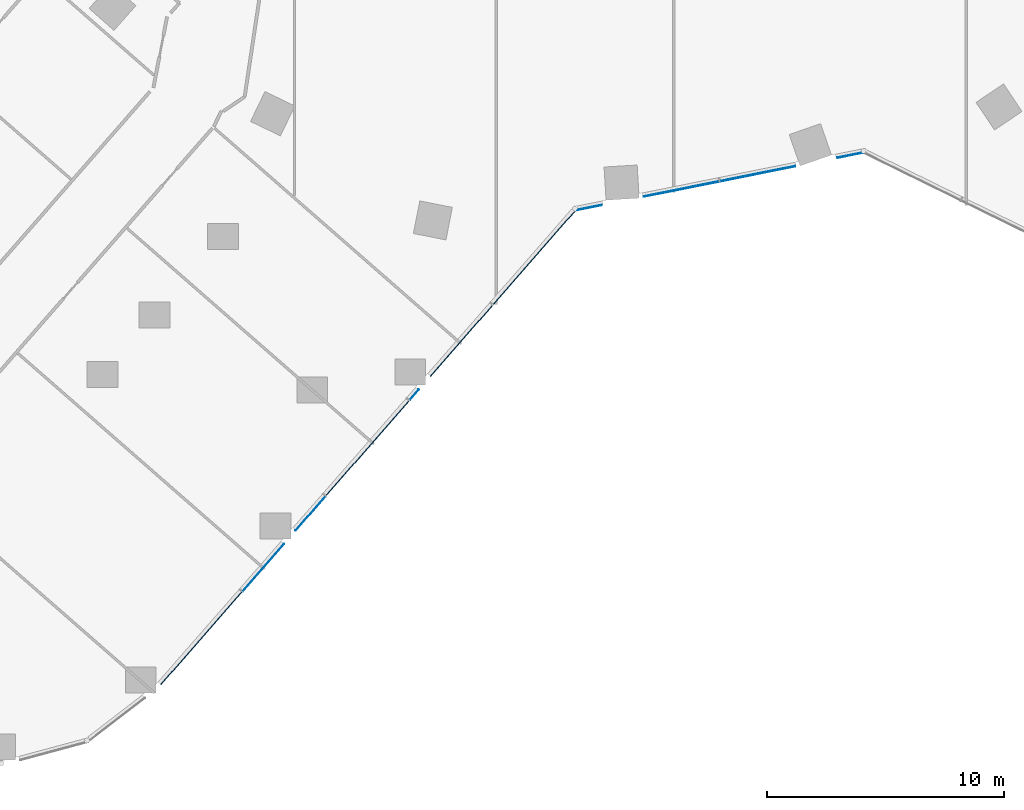
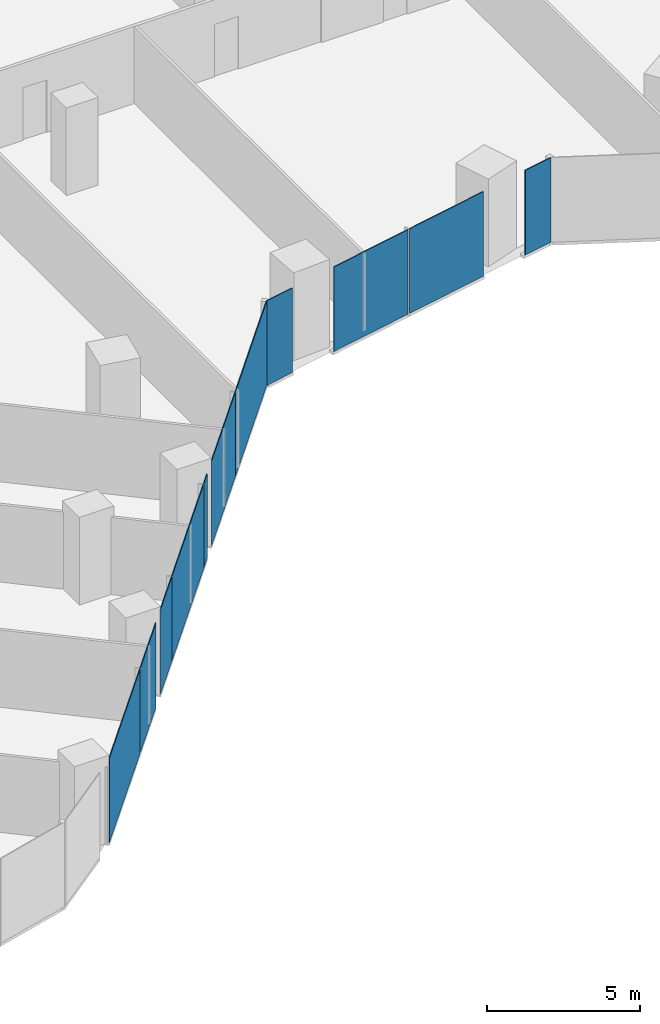
# One storey, part 19 of 38: 11 plates, 2 elements without a shape of their own.
"""IFC4 building model written with IfcOpenShell, lengths in metres."""

from ifc_helpers import new_model, si_unit, direction, frame, origin, origin_2d, place, context, subcontext, project, spatial, rectangle, extrude, material, layer, layer_set, type_object, element, aggregate, save


model = new_model("IFC4")

# Units and contexts
model_context = context("Model", 3, precision=1e-05, world=origin(), true_north=direction((0.0, 1.0)))
body_context = subcontext(model_context, "Body", "Model", "MODEL_VIEW")
ifc_project = project(units=[si_unit("LENGTHUNIT", "METRE"), si_unit("AREAUNIT", "SQUARE_METRE"), si_unit("VOLUMEUNIT", "CUBIC_METRE"), si_unit("PLANEANGLEUNIT", "RADIAN"), si_unit("MASSUNIT", "GRAM", prefix="KILO")], contexts=[model_context])

# Site, building, storey
site_placement = place(None, origin())
site = spatial("IfcSite", under=ifc_project, at=site_placement, CompositionType="ELEMENT")
building_placement = place(site_placement, origin())
building = spatial("IfcBuilding", under=site, at=building_placement, Name="Orlundy Tower", CompositionType="ELEMENT")
storey_placement = place(building_placement, frame((0.0, 0.0, 65.800048828125)))
storey = spatial("IfcBuildingStorey", under=building, at=storey_placement, Name="L15", CompositionType="ELEMENT", Elevation=65.800048828125)

# Curtain wall, plates
ifc_material_1 = material(Name="Aluminium bronze anodised", Category="aluminium")
curtain_wall_type = type_object("IfcCurtainWallType", Name="CW1 wall", PredefinedType="NOTDEFINED", material=ifc_material_1)
curtain_wall_1_placement = place(storey_placement, origin())
curtain_wall_1 = element("IfcCurtainWall", 1, at=curtain_wall_1_placement, inside=storey, type_object=curtain_wall_type, Name="CW1 run 01", PredefinedType="NOTDEFINED")
ifc_material_2 = material(Name="Tinted glass", Category="glass")
ifc_layer = layer(ifc_material_2, 0.031982421875)
ifc_layer_set = layer_set([ifc_layer], Name="CW1 glass panel 32")
plate_type = type_object("IfcPlateType", Name="CW1 glass panel 32", PredefinedType="CURTAIN_PANEL", material=ifc_layer_set)
plate_1_placement = place(storey_placement, frame((11.448486328125, -28.46923828125, -0.280029296875), z_axis=(0.0, 0.0, 1.0), x_axis=(-0.980497420907, -0.196531950572, 0.0)))
plate_1 = element("IfcPlate", 2, at=plate_1_placement, type_object=plate_type, Name="CW1 panel", PredefinedType="CURTAIN_PANEL", context=body_context, shape_type="SweptSolid", body=[
    extrude(rectangle(XDim=1.114013671875, YDim=0.031982421875, at=origin_2d()), origin(), (0.0, 0.0, 1.0), 3.3798828125),
])
plate_2_placement = place(storey_placement, frame((7.536376953125, -29.25341796875, -0.280029296875), z_axis=(0.0, 0.0, 1.0), x_axis=(-0.980497420907, -0.196531950572, 0.0)))
plate_2 = element("IfcPlate", 3, at=plate_2_placement, type_object=plate_type, Name="CW1 panel", PredefinedType="CURTAIN_PANEL", context=body_context, shape_type="SweptSolid", body=[
    extrude(rectangle(XDim=3.2314453125, YDim=0.031982421875, at=origin_2d()), origin(), (0.0, 0.0, 1.0), 3.3798828125),
])
plate_3_placement = place(storey_placement, frame((4.31884765625, -29.898193359375, -0.280029296875), z_axis=(0.0, 0.0, 1.0), x_axis=(-0.980497420907, -0.196531950572, 0.0)))
plate_3 = element("IfcPlate", 4, at=plate_3_placement, type_object=plate_type, Name="CW1 panel", PredefinedType="CURTAIN_PANEL", context=body_context, shape_type="SweptSolid", body=[
    extrude(rectangle(XDim=3.231689453125, YDim=0.031982421875, at=origin_2d()), origin(), (0.0, 0.0, 1.0), 3.3798828125),
])
plate_4_placement = place(storey_placement, frame((0.40673828125, -30.682373046875, -0.280029296875), z_axis=(0.0, 0.0, 1.0), x_axis=(-0.980497420907, -0.196531950572, 0.0)))
plate_4 = element("IfcPlate", 5, at=plate_4_placement, type_object=plate_type, Name="CW1 panel", PredefinedType="CURTAIN_PANEL", context=body_context, shape_type="SweptSolid", body=[
    extrude(rectangle(XDim=1.11376953125, YDim=0.031982421875, at=origin_2d()), origin(), (0.0, 0.0, 1.0), 3.3798828125),
])
aggregate(curtain_wall_1, [plate_1, plate_2, plate_3, plate_4])

curtain_wall_2_placement = place(storey_placement, origin())
curtain_wall_2 = element("IfcCurtainWall", 6, at=curtain_wall_2_placement, inside=storey, type_object=curtain_wall_type, Name="CW1 run 02", PredefinedType="NOTDEFINED")
plate_5_placement = place(storey_placement, frame((-1.875732421875, -32.77783203125, -0.280029296875), z_axis=(0.0, 0.0, 1.0), x_axis=(-0.658258754452, -0.752791745563, 0.0)))
plate_5 = element("IfcPlate", 7, at=plate_5_placement, type_object=plate_type, Name="CW1 panel", PredefinedType="CURTAIN_PANEL", context=body_context, shape_type="SweptSolid", body=[
    extrude(rectangle(XDim=5.276123046875, YDim=0.031982421875, at=origin_2d()), origin(), (0.0, 0.0, 1.0), 3.3798828125),
])
plate_6_placement = place(storey_placement, frame((-4.95654296875, -36.301025390625, -0.280029296875), z_axis=(0.0, 0.0, 1.0), x_axis=(-0.658258754452, -0.752791745563, 0.0)))
plate_6 = element("IfcPlate", 8, at=plate_6_placement, type_object=plate_type, Name="CW1 panel", PredefinedType="CURTAIN_PANEL", context=body_context, shape_type="SweptSolid", body=[
    extrude(rectangle(XDim=3.984375, YDim=0.031982421875, at=origin_2d()), origin(), (0.0, 0.0, 1.0), 3.3798828125),
])
plate_7_placement = place(storey_placement, frame((-6.948486328125, -38.5791015625, -0.280029296875), z_axis=(0.0, 0.0, 1.0), x_axis=(-0.658258754452, -0.752791745563, 0.0)))
plate_7 = element("IfcPlate", 9, at=plate_7_placement, type_object=plate_type, Name="CW1 panel", PredefinedType="CURTAIN_PANEL", context=body_context, shape_type="SweptSolid", body=[
    extrude(rectangle(XDim=0.576904296875, YDim=0.031982421875, at=origin_2d()), origin(), (0.0, 0.0, 1.0), 3.3798828125),
])
plate_8_placement = place(storey_placement, frame((-8.91796875, -40.83154296875, -0.280029296875), z_axis=(0.0, 0.0, 1.0), x_axis=(-0.658258754452, -0.752791745563, 0.0)))
plate_8 = element("IfcPlate", 10, at=plate_8_placement, type_object=plate_type, Name="CW1 panel", PredefinedType="CURTAIN_PANEL", context=body_context, shape_type="SweptSolid", body=[
    extrude(rectangle(XDim=5.306884765625, YDim=0.031982421875, at=origin_2d()), origin(), (0.0, 0.0, 1.0), 3.3798828125),
])
plate_9_placement = place(storey_placement, frame((-11.32421875, -43.583251953125, -0.280029296875), z_axis=(0.0, 0.0, 1.0), x_axis=(-0.658258754452, -0.752791745563, 0.0)))
plate_9 = element("IfcPlate", 11, at=plate_9_placement, type_object=plate_type, Name="CW1 panel", PredefinedType="CURTAIN_PANEL", context=body_context, shape_type="SweptSolid", body=[
    extrude(rectangle(XDim=1.904052734375, YDim=0.031982421875, at=origin_2d()), origin(), (0.0, 0.0, 1.0), 3.3798828125),
])
plate_10_placement = place(storey_placement, frame((-13.316650390625, -45.86181640625, -0.280029296875), z_axis=(0.0, 0.0, 1.0), x_axis=(-0.658258754452, -0.752791745563, 0.0)))
plate_10 = element("IfcPlate", 12, at=plate_10_placement, type_object=plate_type, Name="CW1 panel", PredefinedType="CURTAIN_PANEL", context=body_context, shape_type="SweptSolid", body=[
    extrude(rectangle(XDim=2.65625, YDim=0.031982421875, at=origin_2d()), origin(), (0.0, 0.0, 1.0), 3.3798828125),
])
plate_11_placement = place(storey_placement, frame((-15.930419921875, -48.850830078125, -0.280029296875), z_axis=(0.0, 0.0, 1.0), x_axis=(-0.658258754452, -0.752791745563, 0.0)))
plate_11 = element("IfcPlate", 13, at=plate_11_placement, type_object=plate_type, Name="CW1 panel", PredefinedType="CURTAIN_PANEL", context=body_context, shape_type="SweptSolid", body=[
    extrude(rectangle(XDim=5.185302734375, YDim=0.031982421875, at=origin_2d()), origin(), (0.0, 0.0, 1.0), 3.3798828125),
])
aggregate(curtain_wall_2, [plate_5, plate_6, plate_7, plate_8, plate_9, plate_10, plate_11])

save(model, "model.ifc")
